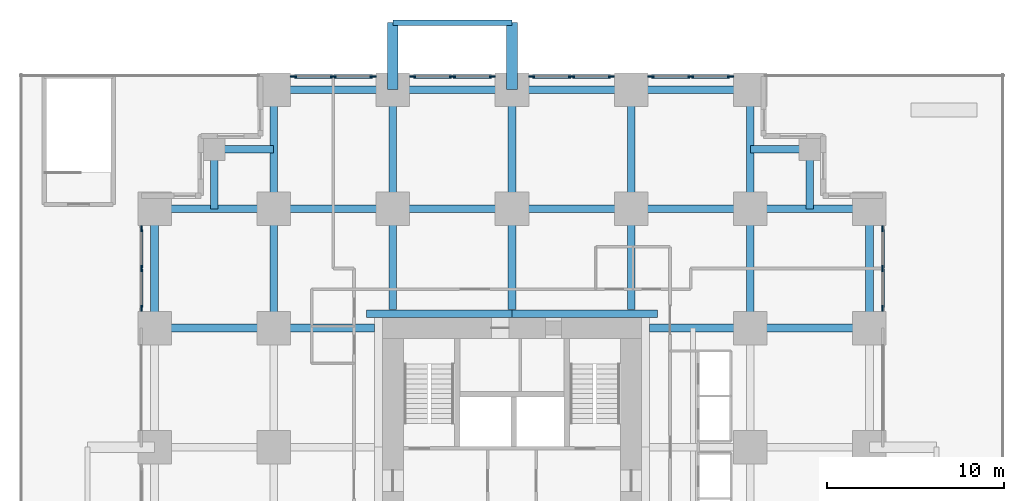
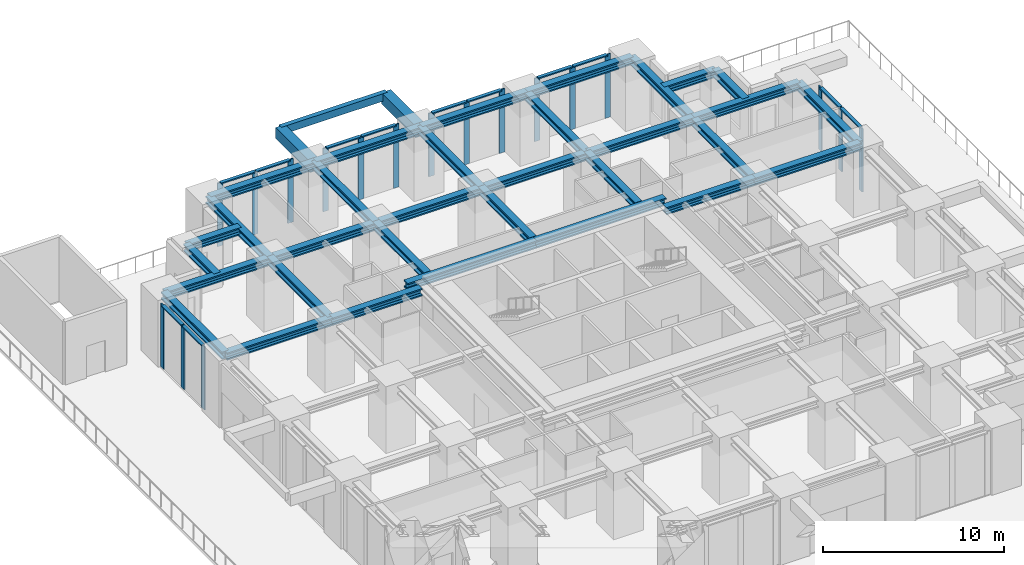
# One storey, part 3 of 9: 35 beams, 30 members, 6 elements without a shape of their own.
"""IFC4 building model written with IfcOpenShell, lengths in metres."""

from ifc_helpers import new_model, si_unit, direction, frame, origin, origin_2d, place, context, subcontext, project, spatial, rectangle, i_section, extrude, material, material_profile, profile_set, type_object, element, aggregate, save


model = new_model("IFC4")

# Units and contexts
model_context = context("Model", 3, precision=1e-05, world=origin(), true_north=direction((0.0, 1.0)))
body_context = subcontext(model_context, "Body", "Model", "MODEL_VIEW")
ifc_project = project(units=[si_unit("LENGTHUNIT", "METRE"), si_unit("AREAUNIT", "SQUARE_METRE"), si_unit("VOLUMEUNIT", "CUBIC_METRE"), si_unit("PLANEANGLEUNIT", "RADIAN"), si_unit("MASSUNIT", "GRAM", prefix="KILO")], contexts=[model_context])

# Site, building, storey
site_placement = place(None, origin())
site = spatial("IfcSite", under=ifc_project, at=site_placement, CompositionType="ELEMENT")
building_placement = place(site_placement, origin())
building = spatial("IfcBuilding", under=site, at=building_placement, Name="Nyansa Garden Tower", CompositionType="ELEMENT")
storey_placement = place(building_placement, frame((0.0, 0.0, 13.5)))
storey = spatial("IfcBuildingStorey", under=building, at=storey_placement, Name="L03", CompositionType="ELEMENT", Elevation=13.5)

# Beams
ifc_material_1 = material(Name="Concrete C70/85", Category="concrete")
ifc_material_profile_1 = material_profile(ifc_material_1, rectangle(XDim=0.60009765625, YDim=0.75, at=origin_2d()), Name="RC 600x750")
ifc_profile_set_1 = profile_set([ifc_material_profile_1], Name="Concrete C70/85")
beam_type_1 = type_object("IfcBeamType", Name="Balcony cantilever beam CB1 RC 600x750", PredefinedType="BEAM", material=ifc_profile_set_1)
for number, where, z_axis, x_axis, name in (
    (1, (13.5, 40.5, 3.885009765625), (0.0, 1.0, 0.0), (-1.0, 0.0, 0.0), "Balcony cantilever beam L04"),
    (2, (20.25, 40.5, 3.885009765625), (0.0, 1.0, 0.0), (-1.0, 0.0, 0.0), "Balcony cantilever beam L04"),
):
    element("IfcBeam", number, at=place(storey_placement, frame(where, z_axis=z_axis, x_axis=x_axis)), inside=storey, type_object=beam_type_1, Name=name, PredefinedType="BEAM", context=body_context, shape_type="SweptSolid", body=[
        extrude(rectangle(XDim=0.60009765625, YDim=0.75, at=origin_2d()), origin(), (0.0, 0.0, 1.0), 3.800048828125),
    ])
ifc_material_2 = material(Name="Concrete C70/85", Category="concrete")
ifc_material_profile_2 = material_profile(ifc_material_2, rectangle(XDim=0.300048828125, YDim=0.5, at=origin_2d()), Name="RC 300x500")
ifc_profile_set_2 = profile_set([ifc_material_profile_2], Name="Concrete C70/85")
beam_type_2 = type_object("IfcBeamType", Name="Balcony edge beam BE1 RC 300x500", PredefinedType="BEAM", material=ifc_profile_set_2)
beam_1_placement = place(storey_placement, frame((13.5, 44.300048828125, 4.010009765625), z_axis=(1.0, 0.0, 0.0), x_axis=(0.0, 1.0, 0.0)))
element("IfcBeam", 3, at=beam_1_placement, inside=storey, type_object=beam_type_2, Name="Balcony edge beam L04", PredefinedType="BEAM", context=body_context, shape_type="SweptSolid", body=[
    extrude(rectangle(XDim=0.300048828125, YDim=0.5, at=origin_2d()), origin(), (0.0, 0.0, 1.0), 6.75),
])

# Curtain wall, members
ifc_material_3 = material(Name="Black anodised aluminium, clear double glazing", Category="aluminium")
curtain_wall_type = type_object("IfcCurtainWallType", Name="Podium curtain wall PCW", PredefinedType="USERDEFINED", material=ifc_material_3)
curtain_wall_1_placement = place(storey_placement, origin())
curtain_wall_1 = element("IfcCurtainWall", 4, at=curtain_wall_1_placement, inside=storey, type_object=curtain_wall_type, Name="Podium curtain wall L03 E", ObjectType="STICK CURTAIN WALL", PredefinedType="USERDEFINED")
ifc_material_4 = material(Name="Black anodised aluminium", Category="aluminium")
ifc_material_profile_3 = material_profile(ifc_material_4, rectangle(XDim=0.080078125, YDim=0.35009765625, at=origin_2d()), Name="Mullion 350x80")
ifc_profile_set_3 = profile_set([ifc_material_profile_3], Name="Black anodised aluminium")
member_type_1 = type_object("IfcMemberType", Name="Mullion PCW 350x80", PredefinedType="MULLION", material=ifc_profile_set_3)
member_1_placement = place(storey_placement, frame((41.25, 28.125, 0.0), z_axis=(0.0, 0.0, 1.0), x_axis=(-1.0, 0.0, 0.0)))
member_1 = element("IfcMember", 5, at=member_1_placement, type_object=member_type_1, Name="PCW mullion 1", PredefinedType="MULLION", context=body_context, shape_type="SweptSolid", body=[
    extrude(rectangle(XDim=0.080078125, YDim=0.35009765625, at=origin_2d()), origin(), (0.0, 0.0, 1.0), 4.27490234375),
])
member_2_placement = place(storey_placement, frame((41.25, 30.375, 0.0), z_axis=(0.0, 0.0, 1.0), x_axis=(-1.0, 0.0, 0.0)))
member_2 = element("IfcMember", 6, at=member_2_placement, type_object=member_type_1, Name="PCW mullion 2", PredefinedType="MULLION", context=body_context, shape_type="SweptSolid", body=[
    extrude(rectangle(XDim=0.080078125, YDim=0.35009765625, at=origin_2d()), origin(), (0.0, 0.0, 1.0), 4.27490234375),
])
member_3_placement = place(storey_placement, frame((41.25, 32.625, 0.0), z_axis=(0.0, 0.0, 1.0), x_axis=(-1.0, 0.0, 0.0)))
member_3 = element("IfcMember", 7, at=member_3_placement, type_object=member_type_1, Name="PCW mullion 3", PredefinedType="MULLION", context=body_context, shape_type="SweptSolid", body=[
    extrude(rectangle(XDim=0.080078125, YDim=0.35009765625, at=origin_2d()), origin(), (0.0, 0.0, 1.0), 4.27490234375),
])

curtain_wall_2_placement = place(storey_placement, origin())
curtain_wall_2 = element("IfcCurtainWall", 8, at=curtain_wall_2_placement, inside=storey, type_object=curtain_wall_type, Name="Podium curtain wall L03 N", ObjectType="STICK CURTAIN WALL", PredefinedType="USERDEFINED")
member_4_placement = place(storey_placement, frame((32.625, 41.25, 0.0), z_axis=(0.0, 0.0, 1.0), x_axis=(0.0, -1.0, 0.0)))
member_4 = element("IfcMember", 9, at=member_4_placement, type_object=member_type_1, Name="PCW mullion 1", PredefinedType="MULLION", context=body_context, shape_type="SweptSolid", body=[
    extrude(rectangle(XDim=0.080078125, YDim=0.35009765625, at=origin_2d()), origin(), (0.0, 0.0, 1.0), 4.27490234375),
])
member_5_placement = place(storey_placement, frame((30.375, 41.25, 0.0), z_axis=(0.0, 0.0, 1.0), x_axis=(0.0, -1.0, 0.0)))
member_5 = element("IfcMember", 10, at=member_5_placement, type_object=member_type_1, Name="PCW mullion 2", PredefinedType="MULLION", context=body_context, shape_type="SweptSolid", body=[
    extrude(rectangle(XDim=0.080078125, YDim=0.35009765625, at=origin_2d()), origin(), (0.0, 0.0, 1.0), 4.27490234375),
])
member_6_placement = place(storey_placement, frame((28.125, 41.25, 0.0), z_axis=(0.0, 0.0, 1.0), x_axis=(0.0, -1.0, 0.0)))
member_6 = element("IfcMember", 11, at=member_6_placement, type_object=member_type_1, Name="PCW mullion 3", PredefinedType="MULLION", context=body_context, shape_type="SweptSolid", body=[
    extrude(rectangle(XDim=0.080078125, YDim=0.35009765625, at=origin_2d()), origin(), (0.0, 0.0, 1.0), 4.27490234375),
])

curtain_wall_3_placement = place(storey_placement, origin())
curtain_wall_3 = element("IfcCurtainWall", 12, at=curtain_wall_3_placement, inside=storey, type_object=curtain_wall_type, Name="Podium curtain wall L03 N", ObjectType="STICK CURTAIN WALL", PredefinedType="USERDEFINED")
member_7_placement = place(storey_placement, frame((25.875, 41.25, 0.0), z_axis=(0.0, 0.0, 1.0), x_axis=(0.0, -1.0, 0.0)))
member_7 = element("IfcMember", 13, at=member_7_placement, type_object=member_type_1, Name="PCW mullion 1", PredefinedType="MULLION", context=body_context, shape_type="SweptSolid", body=[
    extrude(rectangle(XDim=0.080078125, YDim=0.35009765625, at=origin_2d()), origin(), (0.0, 0.0, 1.0), 4.27490234375),
])
member_8_placement = place(storey_placement, frame((23.625, 41.25, 0.0), z_axis=(0.0, 0.0, 1.0), x_axis=(0.0, -1.0, 0.0)))
member_8 = element("IfcMember", 14, at=member_8_placement, type_object=member_type_1, Name="PCW mullion 2", PredefinedType="MULLION", context=body_context, shape_type="SweptSolid", body=[
    extrude(rectangle(XDim=0.080078125, YDim=0.35009765625, at=origin_2d()), origin(), (0.0, 0.0, 1.0), 4.27490234375),
])
member_9_placement = place(storey_placement, frame((21.375, 41.25, 0.0), z_axis=(0.0, 0.0, 1.0), x_axis=(0.0, -1.0, 0.0)))
member_9 = element("IfcMember", 15, at=member_9_placement, type_object=member_type_1, Name="PCW mullion 3", PredefinedType="MULLION", context=body_context, shape_type="SweptSolid", body=[
    extrude(rectangle(XDim=0.080078125, YDim=0.35009765625, at=origin_2d()), origin(), (0.0, 0.0, 1.0), 4.27490234375),
])

curtain_wall_4_placement = place(storey_placement, origin())
curtain_wall_4 = element("IfcCurtainWall", 16, at=curtain_wall_4_placement, inside=storey, type_object=curtain_wall_type, Name="Podium curtain wall L03 N", ObjectType="STICK CURTAIN WALL", PredefinedType="USERDEFINED")
member_10_placement = place(storey_placement, frame((19.125, 41.25, 0.0), z_axis=(0.0, 0.0, 1.0), x_axis=(0.0, -1.0, 0.0)))
member_10 = element("IfcMember", 17, at=member_10_placement, type_object=member_type_1, Name="PCW mullion 1", PredefinedType="MULLION", context=body_context, shape_type="SweptSolid", body=[
    extrude(rectangle(XDim=0.080078125, YDim=0.35009765625, at=origin_2d()), origin(), (0.0, 0.0, 1.0), 4.27490234375),
])
member_11_placement = place(storey_placement, frame((16.875, 41.25, 0.0), z_axis=(0.0, 0.0, 1.0), x_axis=(0.0, -1.0, 0.0)))
member_11 = element("IfcMember", 18, at=member_11_placement, type_object=member_type_1, Name="PCW mullion 2", PredefinedType="MULLION", context=body_context, shape_type="SweptSolid", body=[
    extrude(rectangle(XDim=0.080078125, YDim=0.35009765625, at=origin_2d()), origin(), (0.0, 0.0, 1.0), 4.27490234375),
])
member_12_placement = place(storey_placement, frame((14.625, 41.25, 0.0), z_axis=(0.0, 0.0, 1.0), x_axis=(0.0, -1.0, 0.0)))
member_12 = element("IfcMember", 19, at=member_12_placement, type_object=member_type_1, Name="PCW mullion 3", PredefinedType="MULLION", context=body_context, shape_type="SweptSolid", body=[
    extrude(rectangle(XDim=0.080078125, YDim=0.35009765625, at=origin_2d()), origin(), (0.0, 0.0, 1.0), 4.27490234375),
])

curtain_wall_5_placement = place(storey_placement, origin())
curtain_wall_5 = element("IfcCurtainWall", 20, at=curtain_wall_5_placement, inside=storey, type_object=curtain_wall_type, Name="Podium curtain wall L03 N", ObjectType="STICK CURTAIN WALL", PredefinedType="USERDEFINED")
member_13_placement = place(storey_placement, frame((12.375, 41.25, 0.0), z_axis=(0.0, 0.0, 1.0), x_axis=(0.0, -1.0, 0.0)))
member_13 = element("IfcMember", 21, at=member_13_placement, type_object=member_type_1, Name="PCW mullion 1", PredefinedType="MULLION", context=body_context, shape_type="SweptSolid", body=[
    extrude(rectangle(XDim=0.080078125, YDim=0.35009765625, at=origin_2d()), origin(), (0.0, 0.0, 1.0), 4.27490234375),
])
member_14_placement = place(storey_placement, frame((10.125, 41.25, 0.0), z_axis=(0.0, 0.0, 1.0), x_axis=(0.0, -1.0, 0.0)))
member_14 = element("IfcMember", 22, at=member_14_placement, type_object=member_type_1, Name="PCW mullion 2", PredefinedType="MULLION", context=body_context, shape_type="SweptSolid", body=[
    extrude(rectangle(XDim=0.080078125, YDim=0.35009765625, at=origin_2d()), origin(), (0.0, 0.0, 1.0), 4.27490234375),
])
member_15_placement = place(storey_placement, frame((7.875, 41.25, 0.0), z_axis=(0.0, 0.0, 1.0), x_axis=(0.0, -1.0, 0.0)))
member_15 = element("IfcMember", 23, at=member_15_placement, type_object=member_type_1, Name="PCW mullion 3", PredefinedType="MULLION", context=body_context, shape_type="SweptSolid", body=[
    extrude(rectangle(XDim=0.080078125, YDim=0.35009765625, at=origin_2d()), origin(), (0.0, 0.0, 1.0), 4.27490234375),
])

curtain_wall_6_placement = place(storey_placement, origin())
curtain_wall_6 = element("IfcCurtainWall", 24, at=curtain_wall_6_placement, inside=storey, type_object=curtain_wall_type, Name="Podium curtain wall L03 W", ObjectType="STICK CURTAIN WALL", PredefinedType="USERDEFINED")
member_16_placement = place(storey_placement, frame((-0.75, 32.625, 0.0), z_axis=(0.0, 0.0, 1.0), x_axis=(1.0, 0.0, 0.0)))
member_16 = element("IfcMember", 25, at=member_16_placement, type_object=member_type_1, Name="PCW mullion 1", PredefinedType="MULLION", context=body_context, shape_type="SweptSolid", body=[
    extrude(rectangle(XDim=0.080078125, YDim=0.35009765625, at=origin_2d()), origin(), (0.0, 0.0, 1.0), 4.27490234375),
])
member_17_placement = place(storey_placement, frame((-0.75, 30.375, 0.0), z_axis=(0.0, 0.0, 1.0), x_axis=(1.0, 0.0, 0.0)))
member_17 = element("IfcMember", 26, at=member_17_placement, type_object=member_type_1, Name="PCW mullion 2", PredefinedType="MULLION", context=body_context, shape_type="SweptSolid", body=[
    extrude(rectangle(XDim=0.080078125, YDim=0.35009765625, at=origin_2d()), origin(), (0.0, 0.0, 1.0), 4.27490234375),
])
member_18_placement = place(storey_placement, frame((-0.75, 28.125, 0.0), z_axis=(0.0, 0.0, 1.0), x_axis=(1.0, 0.0, 0.0)))
member_18 = element("IfcMember", 27, at=member_18_placement, type_object=member_type_1, Name="PCW mullion 3", PredefinedType="MULLION", context=body_context, shape_type="SweptSolid", body=[
    extrude(rectangle(XDim=0.080078125, YDim=0.35009765625, at=origin_2d()), origin(), (0.0, 0.0, 1.0), 4.27490234375),
])

# Beams
ifc_material_5 = material(Name="Steel S355", Category="steel")
ifc_material_profile_4 = material_profile(ifc_material_5, i_section(OverallWidth=0.431884765625, OverallDepth=0.498046875, WebThickness=0.0556640625, FlangeThickness=0.0888671875, FilletRadius=0.014892578125, at=origin_2d()), Name="HD 400x744")
ifc_profile_set_4 = profile_set([ifc_material_profile_4], Name="Steel S355")
beam_type_3 = type_object("IfcBeamType", Name="Steel beam SBA1-744 HD 400x744", PredefinedType="BEAM", material=ifc_profile_set_4)
for number, where, z_axis, x_axis, name in (
    (28, (0.0, 27.0, 4.02587890625), (1.0, 0.0, 0.0), (0.0, 1.0, 0.0), "Steel beam 2/H-3/H L04"),
    (29, (0.0, 33.75, 4.02587890625), (1.0, 0.0, 0.0), (0.0, 1.0, 0.0), "Steel beam 2/J-3/J L04"),
    (30, (6.75, 27.0, 4.02587890625), (0.0, 1.0, 0.0), (-1.0, 0.0, 0.0), "Steel beam 3/H-3/J L04"),
):
    element("IfcBeam", number, at=place(storey_placement, frame(where, z_axis=z_axis, x_axis=x_axis)), inside=storey, type_object=beam_type_3, Name=name, PredefinedType="BEAM", context=body_context, shape_type="SweptSolid", body=[
        extrude(i_section(OverallWidth=0.431884765625, OverallDepth=0.498046875, WebThickness=0.0556640625, FlangeThickness=0.0888671875, FilletRadius=0.014892578125, at=origin_2d()), origin(), (0.0, 0.0, 1.0), 6.75),
    ])
beam_2_placement = place(storey_placement, frame((6.75, 27.0, 4.02587890625), z_axis=(1.0, 0.0, 0.0), x_axis=(0.0, 1.0, 0.0)))
element("IfcBeam", 31, at=beam_2_placement, inside=storey, type_object=beam_type_3, Name="Steel beam 3/H-12.450/H L04", PredefinedType="BEAM", context=body_context, shape_type="SweptSolid", body=[
    extrude(i_section(OverallWidth=0.431884765625, OverallDepth=0.498046875, WebThickness=0.0556640625, FlangeThickness=0.0888671875, FilletRadius=0.014892578125, at=origin_2d()), origin(), (0.0, 0.0, 1.0), 5.699951171875),
])
for number, where, z_axis, x_axis, name in (
    (32, (6.75, 33.75, 4.02587890625), (0.0, 1.0, 0.0), (-1.0, 0.0, 0.0), "Steel beam 3/J-3/K L04"),
    (33, (6.75, 33.75, 4.02587890625), (1.0, 0.0, 0.0), (0.0, 1.0, 0.0), "Steel beam 3/J-4/J L04"),
):
    element("IfcBeam", number, at=place(storey_placement, frame(where, z_axis=z_axis, x_axis=x_axis)), inside=storey, type_object=beam_type_3, Name=name, PredefinedType="BEAM", context=body_context, shape_type="SweptSolid", body=[
        extrude(i_section(OverallWidth=0.431884765625, OverallDepth=0.498046875, WebThickness=0.0556640625, FlangeThickness=0.0888671875, FilletRadius=0.014892578125, at=origin_2d()), origin(), (0.0, 0.0, 1.0), 6.75),
    ])
beam_3_placement = place(storey_placement, frame((13.5, 28.050048828125, 4.02587890625), z_axis=(0.0, 1.0, 0.0), x_axis=(-1.0, 0.0, 0.0)))
element("IfcBeam", 34, at=beam_3_placement, inside=storey, type_object=beam_type_3, Name="Steel beam 4/28.050-4/J L04", PredefinedType="BEAM", context=body_context, shape_type="SweptSolid", body=[
    extrude(i_section(OverallWidth=0.431884765625, OverallDepth=0.498046875, WebThickness=0.0556640625, FlangeThickness=0.0888671875, FilletRadius=0.014892578125, at=origin_2d()), origin(), (0.0, 0.0, 1.0), 5.699951171875),
])
for number, where, z_axis, x_axis, name in (
    (35, (13.5, 33.75, 4.02587890625), (0.0, 1.0, 0.0), (-1.0, 0.0, 0.0), "Steel beam 4/J-4/K L04"),
    (36, (13.5, 33.75, 4.02587890625), (1.0, 0.0, 0.0), (0.0, 1.0, 0.0), "Steel beam 4/J-5/J L04"),
):
    element("IfcBeam", number, at=place(storey_placement, frame(where, z_axis=z_axis, x_axis=x_axis)), inside=storey, type_object=beam_type_3, Name=name, PredefinedType="BEAM", context=body_context, shape_type="SweptSolid", body=[
        extrude(i_section(OverallWidth=0.431884765625, OverallDepth=0.498046875, WebThickness=0.0556640625, FlangeThickness=0.0888671875, FilletRadius=0.014892578125, at=origin_2d()), origin(), (0.0, 0.0, 1.0), 6.75),
    ])
beam_4_placement = place(storey_placement, frame((20.25, 28.050048828125, 4.02587890625), z_axis=(0.0, 1.0, 0.0), x_axis=(-1.0, 0.0, 0.0)))
element("IfcBeam", 37, at=beam_4_placement, inside=storey, type_object=beam_type_3, Name="Steel beam 5/28.050-5/J L04", PredefinedType="BEAM", context=body_context, shape_type="SweptSolid", body=[
    extrude(i_section(OverallWidth=0.431884765625, OverallDepth=0.498046875, WebThickness=0.0556640625, FlangeThickness=0.0888671875, FilletRadius=0.014892578125, at=origin_2d()), origin(), (0.0, 0.0, 1.0), 5.699951171875),
])
for number, where, z_axis, x_axis, name in (
    (38, (20.25, 33.75, 4.02587890625), (0.0, 1.0, 0.0), (-1.0, 0.0, 0.0), "Steel beam 5/J-5/K L04"),
    (39, (20.25, 33.75, 4.02587890625), (1.0, 0.0, 0.0), (0.0, 1.0, 0.0), "Steel beam 5/J-6/J L04"),
):
    element("IfcBeam", number, at=place(storey_placement, frame(where, z_axis=z_axis, x_axis=x_axis)), inside=storey, type_object=beam_type_3, Name=name, PredefinedType="BEAM", context=body_context, shape_type="SweptSolid", body=[
        extrude(i_section(OverallWidth=0.431884765625, OverallDepth=0.498046875, WebThickness=0.0556640625, FlangeThickness=0.0888671875, FilletRadius=0.014892578125, at=origin_2d()), origin(), (0.0, 0.0, 1.0), 6.75),
    ])
for number, where, z_axis, x_axis, name in (
    (40, (27.0, 28.050048828125, 4.02587890625), (0.0, 1.0, 0.0), (-1.0, 0.0, 0.0), "Steel beam 6/28.050-6/J L04"),
    (41, (28.050048828125, 27.0, 4.02587890625), (1.0, 0.0, 0.0), (0.0, 1.0, 0.0), "Steel beam 28.050/H-7/H L04"),
):
    element("IfcBeam", number, at=place(storey_placement, frame(where, z_axis=z_axis, x_axis=x_axis)), inside=storey, type_object=beam_type_3, Name=name, PredefinedType="BEAM", context=body_context, shape_type="SweptSolid", body=[
        extrude(i_section(OverallWidth=0.431884765625, OverallDepth=0.498046875, WebThickness=0.0556640625, FlangeThickness=0.0888671875, FilletRadius=0.014892578125, at=origin_2d()), origin(), (0.0, 0.0, 1.0), 5.699951171875),
    ])
for number, where, z_axis, x_axis, name in (
    (42, (27.0, 33.75, 4.02587890625), (0.0, 1.0, 0.0), (-1.0, 0.0, 0.0), "Steel beam 6/J-6/K L04"),
    (43, (27.0, 33.75, 4.02587890625), (1.0, 0.0, 0.0), (0.0, 1.0, 0.0), "Steel beam 6/J-7/J L04"),
    (44, (33.75, 27.0, 4.02587890625), (0.0, 1.0, 0.0), (-1.0, 0.0, 0.0), "Steel beam 7/H-7/J L04"),
    (45, (33.75, 27.0, 4.02587890625), (1.0, 0.0, 0.0), (0.0, 1.0, 0.0), "Steel beam 7/H-8/H L04"),
    (46, (33.75, 33.75, 4.02587890625), (0.0, 1.0, 0.0), (-1.0, 0.0, 0.0), "Steel beam 7/J-7/K L04"),
    (47, (33.75, 33.75, 4.02587890625), (1.0, 0.0, 0.0), (0.0, 1.0, 0.0), "Steel beam 7/J-8/J L04"),
):
    element("IfcBeam", number, at=place(storey_placement, frame(where, z_axis=z_axis, x_axis=x_axis)), inside=storey, type_object=beam_type_3, Name=name, PredefinedType="BEAM", context=body_context, shape_type="SweptSolid", body=[
        extrude(i_section(OverallWidth=0.431884765625, OverallDepth=0.498046875, WebThickness=0.0556640625, FlangeThickness=0.0888671875, FilletRadius=0.014892578125, at=origin_2d()), origin(), (0.0, 0.0, 1.0), 6.75),
    ])
ifc_material_6 = material(Name="Steel S355", Category="steel")
ifc_material_profile_5 = material_profile(ifc_material_6, i_section(OverallWidth=0.431884765625, OverallDepth=0.498046875, WebThickness=0.0556640625, FlangeThickness=0.0888671875, FilletRadius=0.014892578125, at=origin_2d()), Name="HD 400x744")
ifc_profile_set_5 = profile_set([ifc_material_profile_5], Name="Steel S355")
beam_type_4 = type_object("IfcBeamType", Name="Steel beam SEBA-744 HD 400x744", PredefinedType="BEAM", material=ifc_profile_set_5)
for number, where, z_axis, x_axis, name in (
    (48, (0.0, 27.0, 4.02587890625), (0.0, 1.0, 0.0), (-1.0, 0.0, 0.0), "Steel edge beam 2/H-2/J L04"),
    (49, (6.75, 40.5, 4.02587890625), (1.0, 0.0, 0.0), (0.0, 1.0, 0.0), "Steel edge beam 3/K-4/K L04"),
    (50, (13.5, 40.5, 4.02587890625), (1.0, 0.0, 0.0), (0.0, 1.0, 0.0), "Steel edge beam 4/K-5/K L04"),
    (51, (20.25, 40.5, 4.02587890625), (1.0, 0.0, 0.0), (0.0, 1.0, 0.0), "Steel edge beam 5/K-6/K L04"),
    (52, (27.0, 40.5, 4.02587890625), (1.0, 0.0, 0.0), (0.0, 1.0, 0.0), "Steel edge beam 6/K-7/K L04"),
    (53, (40.5, 27.0, 4.02587890625), (0.0, 1.0, 0.0), (-1.0, 0.0, 0.0), "Steel edge beam 8/H-8/J L04"),
):
    element("IfcBeam", number, at=place(storey_placement, frame(where, z_axis=z_axis, x_axis=x_axis)), inside=storey, type_object=beam_type_4, Name=name, PredefinedType="BEAM", context=body_context, shape_type="SweptSolid", body=[
        extrude(i_section(OverallWidth=0.431884765625, OverallDepth=0.498046875, WebThickness=0.0556640625, FlangeThickness=0.0888671875, FilletRadius=0.014892578125, at=origin_2d()), origin(), (0.0, 0.0, 1.0), 6.75),
    ])
ifc_material_7 = material(Name="Steel S355", Category="steel")
ifc_material_profile_6 = material_profile(ifc_material_7, i_section(OverallWidth=0.431884765625, OverallDepth=0.498046875, WebThickness=0.0556640625, FlangeThickness=0.0888671875, FilletRadius=0.014892578125, at=origin_2d()), Name="HD 400x744")
ifc_profile_set_6 = profile_set([ifc_material_profile_6], Name="Steel S355")
beam_type_5 = type_object("IfcBeamType", Name="Steel beam SLB1-744 HD 400x744", PredefinedType="BEAM", material=ifc_profile_set_6)
for number, where, z_axis, x_axis, name in (
    (54, (28.5, 27.81591796875, 4.02587890625), (-1.0, 0.0, 0.0), (0.0, -1.0, 0.0), "Steel core ledger beam N.1 L04"),
    (55, (20.25, 27.81591796875, 4.02587890625), (-1.0, 0.0, 0.0), (0.0, -1.0, 0.0), "Steel core ledger beam N.2 L04"),
):
    element("IfcBeam", number, at=place(storey_placement, frame(where, z_axis=z_axis, x_axis=x_axis)), inside=storey, type_object=beam_type_5, Name=name, PredefinedType="BEAM", context=body_context, shape_type="SweptSolid", body=[
        extrude(i_section(OverallWidth=0.431884765625, OverallDepth=0.498046875, WebThickness=0.0556640625, FlangeThickness=0.0888671875, FilletRadius=0.014892578125, at=origin_2d()), origin(), (0.0, 0.0, 1.0), 8.25),
    ])
ifc_material_8 = material(Name="Steel S355", Category="steel")
ifc_material_profile_7 = material_profile(ifc_material_8, i_section(OverallWidth=0.431884765625, OverallDepth=0.498046875, WebThickness=0.0556640625, FlangeThickness=0.0888671875, FilletRadius=0.014892578125, at=origin_2d()), Name="HD 400x744")
ifc_profile_set_7 = profile_set([ifc_material_profile_7], Name="Steel S355")
beam_type_6 = type_object("IfcBeamType", Name="Steel beam SSB1-744 HD 400x744", PredefinedType="BEAM", material=ifc_profile_set_7)
for number, where, z_axis, x_axis, name in (
    (56, (37.125, 37.125, 4.02587890625), (0.0, -1.0, 0.0), (1.0, 0.0, 0.0), "Steel step beam 37.125/37.125 L04"),
    (57, (37.125, 37.125, 4.02587890625), (-1.0, 0.0, 0.0), (0.0, -1.0, 0.0), "Steel step beam 37.125/37.125 L04"),
    (58, (3.375, 37.125, 4.02587890625), (0.0, -1.0, 0.0), (1.0, 0.0, 0.0), "Steel step beam 3.375/37.125 L04"),
    (59, (3.375, 37.125, 4.02587890625), (1.0, 0.0, 0.0), (0.0, 1.0, 0.0), "Steel step beam 3.375/37.125 L04"),
):
    element("IfcBeam", number, at=place(storey_placement, frame(where, z_axis=z_axis, x_axis=x_axis)), inside=storey, type_object=beam_type_6, Name=name, PredefinedType="BEAM", context=body_context, shape_type="SweptSolid", body=[
        extrude(i_section(OverallWidth=0.431884765625, OverallDepth=0.498046875, WebThickness=0.0556640625, FlangeThickness=0.0888671875, FilletRadius=0.014892578125, at=origin_2d()), origin(), (0.0, 0.0, 1.0), 3.375),
    ])

# Member
ifc_material_9 = material(Name="Black anodised aluminium", Category="aluminium")
ifc_material_profile_8 = material_profile(ifc_material_9, rectangle(XDim=0.219970703125, YDim=0.080078125, at=origin_2d()), Name="Transom 220x80")
ifc_profile_set_8 = profile_set([ifc_material_profile_8], Name="Black anodised aluminium")
member_type_2 = type_object("IfcMemberType", Name="Transom PCW 220x80", PredefinedType="USERDEFINED", material=ifc_profile_set_8)
member_19_placement = place(storey_placement, frame((41.25, 28.1650390625, 4.235107421875), z_axis=(0.0, 1.0, 0.0), x_axis=(-1.0, 0.0, 0.0)))
member_19 = element("IfcMember", 60, at=member_19_placement, type_object=member_type_2, Name="PCW transom 1", ObjectType="TRANSOM", PredefinedType="USERDEFINED", context=body_context, shape_type="SweptSolid", body=[
    extrude(rectangle(XDim=0.219970703125, YDim=0.080078125, at=origin_2d()), origin(), (0.0, 0.0, 1.0), 2.169921875),
])

member_20_placement = place(storey_placement, frame((41.25, 30.4150390625, 4.235107421875), z_axis=(0.0, 1.0, 0.0), x_axis=(-1.0, 0.0, 0.0)))
member_20 = element("IfcMember", 61, at=member_20_placement, type_object=member_type_2, Name="PCW transom 2", ObjectType="TRANSOM", PredefinedType="USERDEFINED", context=body_context, shape_type="SweptSolid", body=[
    extrude(rectangle(XDim=0.219970703125, YDim=0.080078125, at=origin_2d()), origin(), (0.0, 0.0, 1.0), 2.169921875),
])

aggregate(curtain_wall_1, [member_1, member_2, member_3, member_19, member_20])

member_21_placement = place(storey_placement, frame((32.5849609375, 41.25, 4.235107421875), z_axis=(-1.0, 0.0, 0.0), x_axis=(0.0, -1.0, 0.0)))
member_21 = element("IfcMember", 62, at=member_21_placement, type_object=member_type_2, Name="PCW transom 1", ObjectType="TRANSOM", PredefinedType="USERDEFINED", context=body_context, shape_type="SweptSolid", body=[
    extrude(rectangle(XDim=0.219970703125, YDim=0.080078125, at=origin_2d()), origin(), (0.0, 0.0, 1.0), 2.169921875),
])

member_22_placement = place(storey_placement, frame((30.3349609375, 41.25, 4.235107421875), z_axis=(-1.0, 0.0, 0.0), x_axis=(0.0, -1.0, 0.0)))
member_22 = element("IfcMember", 63, at=member_22_placement, type_object=member_type_2, Name="PCW transom 2", ObjectType="TRANSOM", PredefinedType="USERDEFINED", context=body_context, shape_type="SweptSolid", body=[
    extrude(rectangle(XDim=0.219970703125, YDim=0.080078125, at=origin_2d()), origin(), (0.0, 0.0, 1.0), 2.169921875),
])

aggregate(curtain_wall_2, [member_4, member_5, member_6, member_21, member_22])

member_23_placement = place(storey_placement, frame((25.8349609375, 41.25, 4.235107421875), z_axis=(-1.0, 0.0, 0.0), x_axis=(0.0, -1.0, 0.0)))
member_23 = element("IfcMember", 64, at=member_23_placement, type_object=member_type_2, Name="PCW transom 1", ObjectType="TRANSOM", PredefinedType="USERDEFINED", context=body_context, shape_type="SweptSolid", body=[
    extrude(rectangle(XDim=0.219970703125, YDim=0.080078125, at=origin_2d()), origin(), (0.0, 0.0, 1.0), 2.169921875),
])

member_24_placement = place(storey_placement, frame((23.5849609375, 41.25, 4.235107421875), z_axis=(-1.0, 0.0, 0.0), x_axis=(0.0, -1.0, 0.0)))
member_24 = element("IfcMember", 65, at=member_24_placement, type_object=member_type_2, Name="PCW transom 2", ObjectType="TRANSOM", PredefinedType="USERDEFINED", context=body_context, shape_type="SweptSolid", body=[
    extrude(rectangle(XDim=0.219970703125, YDim=0.080078125, at=origin_2d()), origin(), (0.0, 0.0, 1.0), 2.169921875),
])

aggregate(curtain_wall_3, [member_7, member_8, member_9, member_23, member_24])

member_25_placement = place(storey_placement, frame((19.0849609375, 41.25, 4.235107421875), z_axis=(-1.0, 0.0, 0.0), x_axis=(0.0, -1.0, 0.0)))
member_25 = element("IfcMember", 66, at=member_25_placement, type_object=member_type_2, Name="PCW transom 1", ObjectType="TRANSOM", PredefinedType="USERDEFINED", context=body_context, shape_type="SweptSolid", body=[
    extrude(rectangle(XDim=0.219970703125, YDim=0.080078125, at=origin_2d()), origin(), (0.0, 0.0, 1.0), 2.169921875),
])

member_26_placement = place(storey_placement, frame((16.8349609375, 41.25, 4.235107421875), z_axis=(-1.0, 0.0, 0.0), x_axis=(0.0, -1.0, 0.0)))
member_26 = element("IfcMember", 67, at=member_26_placement, type_object=member_type_2, Name="PCW transom 2", ObjectType="TRANSOM", PredefinedType="USERDEFINED", context=body_context, shape_type="SweptSolid", body=[
    extrude(rectangle(XDim=0.219970703125, YDim=0.080078125, at=origin_2d()), origin(), (0.0, 0.0, 1.0), 2.169921875),
])

aggregate(curtain_wall_4, [member_10, member_11, member_12, member_25, member_26])

member_27_placement = place(storey_placement, frame((12.3349609375, 41.25, 4.235107421875), z_axis=(-1.0, 0.0, 0.0), x_axis=(0.0, -1.0, 0.0)))
member_27 = element("IfcMember", 68, at=member_27_placement, type_object=member_type_2, Name="PCW transom 1", ObjectType="TRANSOM", PredefinedType="USERDEFINED", context=body_context, shape_type="SweptSolid", body=[
    extrude(rectangle(XDim=0.219970703125, YDim=0.080078125, at=origin_2d()), origin(), (0.0, 0.0, 1.0), 2.169921875),
])

member_28_placement = place(storey_placement, frame((10.0849609375, 41.25, 4.235107421875), z_axis=(-1.0, 0.0, 0.0), x_axis=(0.0, -1.0, 0.0)))
member_28 = element("IfcMember", 69, at=member_28_placement, type_object=member_type_2, Name="PCW transom 2", ObjectType="TRANSOM", PredefinedType="USERDEFINED", context=body_context, shape_type="SweptSolid", body=[
    extrude(rectangle(XDim=0.219970703125, YDim=0.080078125, at=origin_2d()), origin(), (0.0, 0.0, 1.0), 2.169921875),
])

aggregate(curtain_wall_5, [member_13, member_14, member_15, member_27, member_28])

member_29_placement = place(storey_placement, frame((-0.75, 32.5849609375, 4.235107421875), z_axis=(0.0, -1.0, 0.0), x_axis=(1.0, 0.0, 0.0)))
member_29 = element("IfcMember", 70, at=member_29_placement, type_object=member_type_2, Name="PCW transom 1", ObjectType="TRANSOM", PredefinedType="USERDEFINED", context=body_context, shape_type="SweptSolid", body=[
    extrude(rectangle(XDim=0.219970703125, YDim=0.080078125, at=origin_2d()), origin(), (0.0, 0.0, 1.0), 2.169921875),
])

member_30_placement = place(storey_placement, frame((-0.75, 30.3349609375, 4.235107421875), z_axis=(0.0, -1.0, 0.0), x_axis=(1.0, 0.0, 0.0)))
member_30 = element("IfcMember", 71, at=member_30_placement, type_object=member_type_2, Name="PCW transom 2", ObjectType="TRANSOM", PredefinedType="USERDEFINED", context=body_context, shape_type="SweptSolid", body=[
    extrude(rectangle(XDim=0.219970703125, YDim=0.080078125, at=origin_2d()), origin(), (0.0, 0.0, 1.0), 2.169921875),
])

aggregate(curtain_wall_6, [member_16, member_17, member_18, member_29, member_30])

save(model, "model.ifc")
